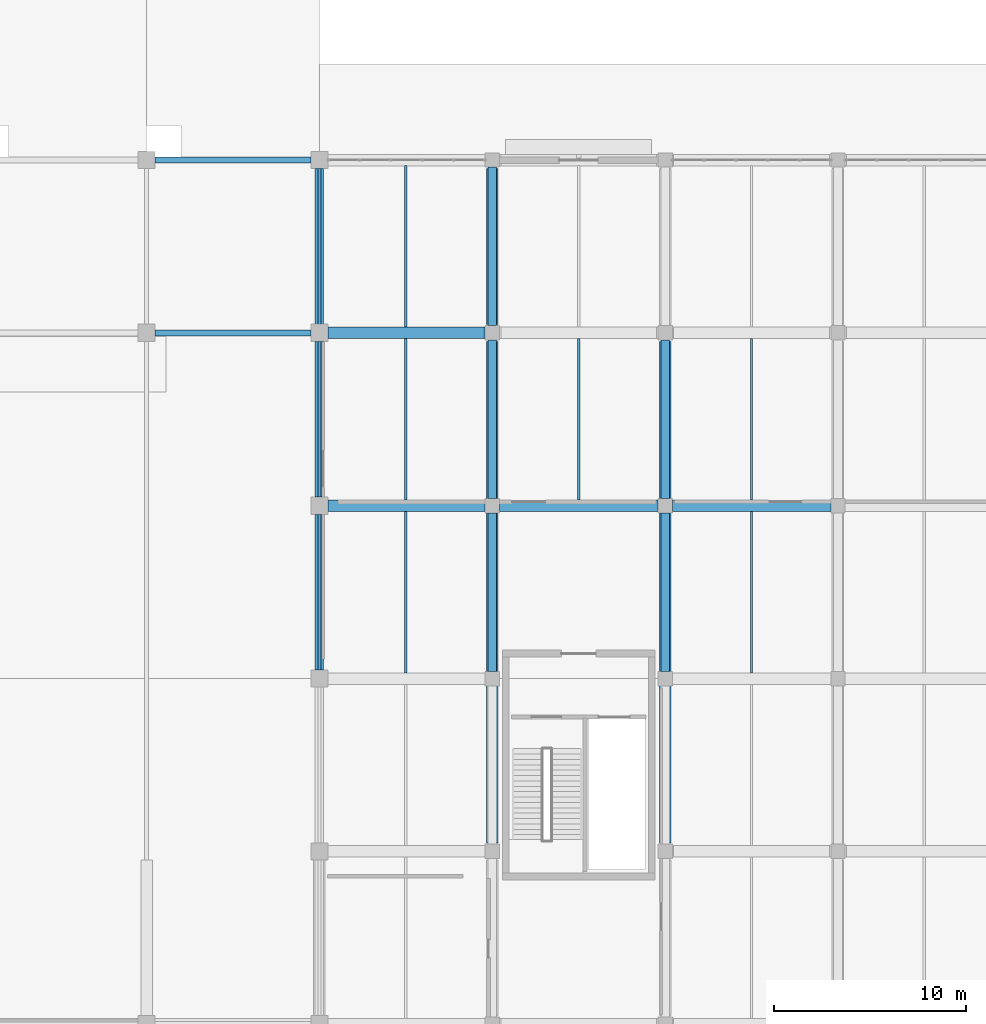
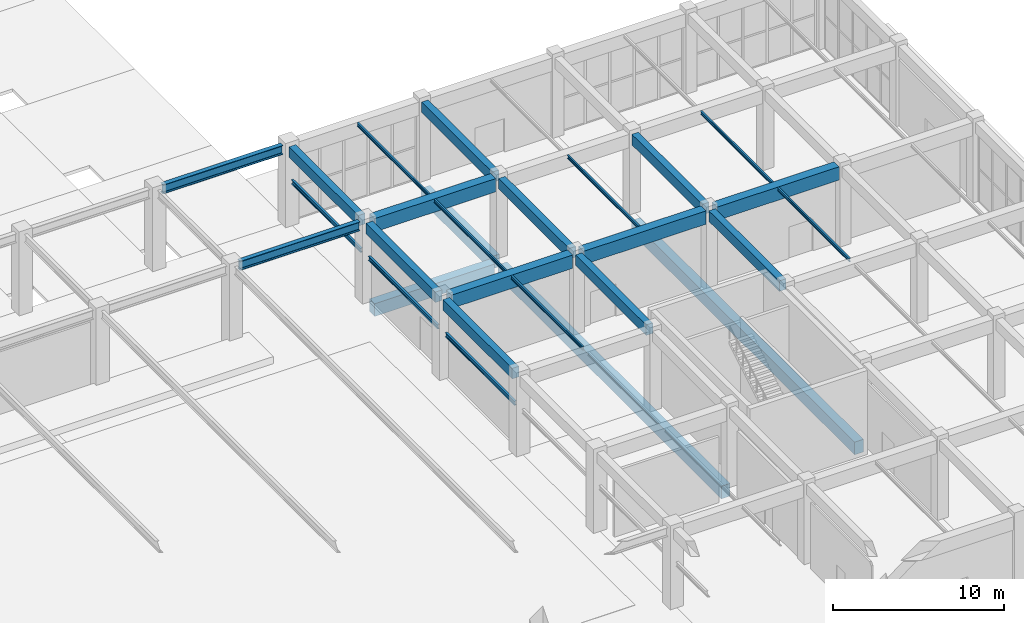
# One storey, part 15 of 91: 27 beams.
"""IFC4 building model written with IfcOpenShell, lengths in metres."""

import ifcopenshell
import ifcopenshell.guid

model = None  # the IFC model being written
_history = None  # IfcOwnerHistory: only IFC2X3 demands one
_inside = {}  # id of a spatial element -> (the spatial element, [elements in it])
_under = {}  # id of a project, library or spatial element -> (it, [spatial elements below it])
_declared = {}  # id of a project -> (the project, [libraries it declares])
_typed = {}  # id of a type object -> (the type object, [elements of that type])
_made_of = {}  # id of a material, layer set ... -> (it, [elements and type objects made of it])


def new_model(schema):
    """Start an empty IFC model of exactly this schema.

    Asked for "IFC4X3", IfcOpenShell would pick the latest addendum, in which some entities
    have other attributes; the version numbers below select the first issue.
    IFC2X3 requires an IfcOwnerHistory on every rooted entity: one is made here for all.
    """
    global model, _history
    if schema == "IFC4X3":
        model = ifcopenshell.file(schema_version=(4, 3, 0, 0))
    else:
        model = ifcopenshell.file(schema=schema)
    _inside.clear()
    _under.clear()
    _declared.clear()
    _typed.clear()
    _made_of.clear()
    _history = None
    if model.schema == "IFC2X3":
        org = make("IfcOrganization", Name="unknown")
        user = make(
            "IfcPersonAndOrganization",
            ThePerson=make("IfcPerson", FamilyName="unknown"),
            TheOrganization=org,
        )
        app = make(
            "IfcApplication",
            ApplicationDeveloper=org,
            Version="unknown",
            ApplicationFullName="unknown",
            ApplicationIdentifier="unknown",
        )
        _history = make(
            "IfcOwnerHistory",
            OwningUser=user,
            OwningApplication=app,
            ChangeAction="ADDED",
            CreationDate=0,
        )
    return model


def make(cls, **values):
    """One entity of the class cls with the attributes given. An attribute that is None is left unset."""
    return model.create_entity(
        cls, **{name: value for name, value in values.items() if value is not None}
    )


def rooted(cls, **values):
    """An entity with a GlobalId (a new one), such as an element, a storey or a relation."""
    return make(cls, GlobalId=ifcopenshell.guid.new(), OwnerHistory=_history, **values)


def si_unit(unit_type, name, prefix=None):
    """IfcSIUnit, for example si_unit("LENGTHUNIT", "METRE", prefix="MILLI")."""
    return make("IfcSIUnit", UnitType=unit_type, Prefix=prefix, Name=name)


def assignment(units):
    """IfcUnitAssignment: the units of a project."""
    return None if units is None else make("IfcUnitAssignment", Units=units)


def point(xyz):
    """IfcCartesianPoint."""
    return None if xyz is None else make("IfcCartesianPoint", Coordinates=xyz)


def direction(xyz):
    """IfcDirection."""
    return None if xyz is None else make("IfcDirection", DirectionRatios=xyz)


def frame(location, z_axis=None, x_axis=None):
    """IfcAxis2Placement3D, a coordinate frame: its origin and axes. An axis left out is left unset."""
    return make(
        "IfcAxis2Placement3D",
        Location=point(location),
        Axis=direction(z_axis),
        RefDirection=direction(x_axis),
    )


def frame_2d(location, x_axis=None):
    """IfcAxis2Placement2D, a coordinate frame in the plane: its origin and x axis."""
    return make(
        "IfcAxis2Placement2D", Location=point(location), RefDirection=direction(x_axis)
    )


def origin():
    """The frame at (0, 0, 0) with its axes left unset."""
    return frame((0.0, 0.0, 0.0))


def origin_2d():
    """The frame at (0, 0) in the plane with its x axis left unset."""
    return frame_2d((0.0, 0.0))


def place(relative_to, where):
    """IfcLocalPlacement: puts the frame where relative to a parent placement (None: the world)."""
    return make(
        "IfcLocalPlacement", PlacementRelTo=relative_to, RelativePlacement=where
    )


def context(
    kind, dimensions, precision=None, world=None, true_north=None, identifier=None
):
    """IfcGeometricRepresentationContext, for example the 3D "Model" context."""
    return make(
        "IfcGeometricRepresentationContext",
        ContextIdentifier=identifier,
        ContextType=kind,
        CoordinateSpaceDimension=dimensions,
        Precision=precision,
        WorldCoordinateSystem=world,
        TrueNorth=true_north,
    )


def subcontext(parent, identifier, kind, view, scale=None):
    """IfcGeometricRepresentationSubContext, for example "Body" below "Model"."""
    return make(
        "IfcGeometricRepresentationSubContext",
        ContextIdentifier=identifier,
        ContextType=kind,
        ParentContext=parent,
        TargetScale=scale,
        TargetView=view,
    )


def project(units=None, contexts=None):
    """IfcProject with its units and contexts."""
    return rooted(
        "IfcProject",
        Name="project",
        RepresentationContexts=contexts,
        UnitsInContext=assignment(units),
    )


def spatial(cls, under=None, at=None, **own):
    """A site, building, storey or space (cls), placed at a placement, below another one or the project."""
    s = rooted(cls, ObjectPlacement=at, **own)
    if under is not None:
        _under.setdefault(under.id(), (under, []))[1].append(s)
    return s


def profile(cls, at=None, kind="AREA", **sizes):
    """A parametric profile (cls). Its sizes go by their IFC names, for example OverallWidth=200.0."""
    return make(cls, ProfileType=kind, Position=at, **sizes)


def rectangle(**sizes):
    """IfcRectangleProfileDef."""
    return profile("IfcRectangleProfileDef", **sizes)


def i_section(**sizes):
    """IfcIShapeProfileDef."""
    return profile("IfcIShapeProfileDef", **sizes)


def extrude(swept, where, along, depth):
    """IfcExtrudedAreaSolid: the profile swept, set in the frame where, extruded along a direction by depth."""
    return make(
        "IfcExtrudedAreaSolid",
        SweptArea=swept,
        Position=where,
        ExtrudedDirection=direction(along),
        Depth=depth,
    )


def shape(context_of_items, identifier, shape_type, items):
    """IfcShapeRepresentation: the items that make up one representation, for example the "Body"."""
    return make(
        "IfcShapeRepresentation",
        ContextOfItems=context_of_items,
        RepresentationIdentifier=identifier,
        RepresentationType=shape_type,
        Items=items,
    )


def material(Name=None, Category=None):
    """IfcMaterial."""
    return make("IfcMaterial", Name=Name, Category=Category)


def material_profile(
    of_material, cross_section, Name=None, Category=None, Priority=None
):
    """IfcMaterialProfile: a cross section and its material."""
    return make(
        "IfcMaterialProfile",
        Name=Name,
        Material=of_material,
        Profile=cross_section,
        Priority=Priority,
        Category=Category,
    )


def profile_set(profiles, Name=None, composite=None):
    """IfcMaterialProfileSet."""
    return make(
        "IfcMaterialProfileSet",
        Name=Name,
        MaterialProfiles=profiles,
        CompositeProfile=composite,
    )


def made_of(thing, what):
    """Note that an element or type object is made of a material, layer set ...; save() writes the relation."""
    if what is not None:
        _made_of.setdefault(what.id(), (what, []))[1].append(thing)
    return thing


def type_object(cls, material=None, **own):
    """A type object (cls), such as IfcWallType, which elements share."""
    return made_of(rooted(cls, **own), material)


def element(
    cls,
    number,
    at=None,
    inside=None,
    cuts=None,
    type_object=None,
    material=None,
    context=None,
    identifier="Body",
    shape_type=None,
    held_by="IfcProductDefinitionShape",
    body=None,
    shapes=None,
    **own,
):
    """One element of the class cls, such as IfcWall. Its Tag is "e" and its number.

    at: its placement. inside: the storey or other place that contains it. cuts: it is an
    opening in that element (IfcRelVoidsElement). A single representation is given by context,
    identifier, shape_type and body (its items); several are given by shapes. held_by: the class
    of the entity that holds the representations. save() writes the other relations.
    """
    e = rooted(cls, Tag="e%d" % number, ObjectPlacement=at, **own)
    if body is not None:
        shapes = [shape(context, identifier, shape_type, body)]
    if shapes is not None:
        e.Representation = make(held_by, Representations=shapes)
    if inside is not None:
        _inside.setdefault(inside.id(), (inside, []))[1].append(e)
    if cuts is not None:
        rooted(
            "IfcRelVoidsElement", RelatingBuildingElement=cuts, RelatedOpeningElement=e
        )
    if type_object is not None:
        _typed.setdefault(type_object.id(), (type_object, []))[1].append(e)
    return made_of(e, material)


def aggregate(whole, parts):
    """IfcRelAggregates: a whole, such as a stair, and the parts it consists of."""
    return rooted("IfcRelAggregates", RelatingObject=whole, RelatedObjects=parts)


def save(model, path):
    """Write the relations noted so far, then the file.

    IfcRelAggregates (storeys below a building ...), IfcRelContainedInSpatialStructure (elements
    in a storey), IfcRelDefinesByType, IfcRelAssociatesMaterial and IfcRelDeclares: one each for
    every whole, place, type object, material and project.
    """
    for whole, parts in _under.values():
        aggregate(whole, parts)
    for where, things in _inside.values():
        rooted(
            "IfcRelContainedInSpatialStructure",
            RelatedElements=things,
            RelatingStructure=where,
        )
    for kind, things in _typed.values():
        rooted("IfcRelDefinesByType", RelatedObjects=things, RelatingType=kind)
    for what, things in _made_of.values():
        rooted("IfcRelAssociatesMaterial", RelatedObjects=things, RelatingMaterial=what)
    for by, libraries in _declared.values():
        rooted("IfcRelDeclares", RelatingContext=by, RelatedDefinitions=libraries)
    model.write(path)


model = new_model("IFC4")

# Units and contexts
model_context = context("Model", 3, precision=1e-05, world=origin(), true_north=direction((0.0, 1.0)))
body_context = subcontext(model_context, "Body", "Model", "MODEL_VIEW")
ifc_project = project(units=[si_unit("LENGTHUNIT", "METRE"), si_unit("AREAUNIT", "SQUARE_METRE"), si_unit("VOLUMEUNIT", "CUBIC_METRE"), si_unit("PLANEANGLEUNIT", "RADIAN"), si_unit("MASSUNIT", "GRAM", prefix="KILO")], contexts=[model_context])

# Site, building, storey
site_placement = place(None, origin())
site = spatial("IfcSite", under=ifc_project, at=site_placement, CompositionType="ELEMENT")
building_placement = place(site_placement, origin())
building = spatial("IfcBuilding", under=site, at=building_placement, Name="Dornveld Trade and Exhibition Forum", CompositionType="ELEMENT")
storey_placement = place(building_placement, origin())
storey = spatial("IfcBuildingStorey", under=building, at=storey_placement, Name="L00", CompositionType="ELEMENT", Elevation=0.0)

# Beams
ifc_material_1 = material(Name="Concrete C40/50", Category="concrete")
ifc_material_profile_1 = material_profile(ifc_material_1, rectangle(XDim=0.60009765625, YDim=0.89990234375, at=origin_2d()), Name="RC-GB 600x900")
ifc_profile_set_1 = profile_set([ifc_material_profile_1], Name="Concrete C40/50")
beam_type_1 = type_object("IfcBeamType", Name="BM-GB-600x900", PredefinedType="BEAM", material=ifc_profile_set_1)
beam_1_placement = place(storey_placement, frame((198.446044921875, 45.0, -0.830078125), z_axis=(1.0, 0.0, 0.0), x_axis=(0.0, 1.0, 0.0)))
element("IfcBeam", 1, at=beam_1_placement, inside=storey, type_object=beam_type_1, Name="L00 X-girder 598", PredefinedType="BEAM", context=body_context, shape_type="SweptSolid", body=[
    extrude(rectangle(XDim=0.60009765625, YDim=0.89990234375, at=origin_2d()), origin(), (0.0, 0.0, 1.0), 8.10791015625),
])
beam_2_placement = place(storey_placement, frame((207.0, 18.446044921875, -0.830078125), z_axis=(0.0, 1.0, 0.0), x_axis=(-1.0, 0.0, 0.0)))
element("IfcBeam", 2, at=beam_2_placement, inside=storey, type_object=beam_type_1, Name="L00 Y-girder 637", PredefinedType="BEAM", context=body_context, shape_type="SweptSolid", body=[
    extrude(rectangle(XDim=0.60009765625, YDim=0.89990234375, at=origin_2d()), origin(), (0.0, 0.0, 1.0), 26.10791015625),
])
beam_3_placement = place(storey_placement, frame((207.0, 45.446044921875, -0.830078125), z_axis=(0.0, 1.0, 0.0), x_axis=(-1.0, 0.0, 0.0)))
element("IfcBeam", 3, at=beam_3_placement, inside=storey, type_object=beam_type_1, Name="L00 Y-girder 638", PredefinedType="BEAM", context=body_context, shape_type="SweptSolid", body=[
    extrude(rectangle(XDim=0.60009765625, YDim=0.89990234375, at=origin_2d()), origin(), (0.0, 0.0, 1.0), 8.10791015625),
])
beam_4_placement = place(storey_placement, frame((216.0, 18.446044921875, -0.830078125), z_axis=(0.0, 1.0, 0.0), x_axis=(-1.0, 0.0, 0.0)))
element("IfcBeam", 4, at=beam_4_placement, inside=storey, type_object=beam_type_1, Name="L00 Y-girder 641", PredefinedType="BEAM", context=body_context, shape_type="SweptSolid", body=[
    extrude(rectangle(XDim=0.60009765625, YDim=0.89990234375, at=origin_2d()), origin(), (0.0, 0.0, 1.0), 26.10791015625),
])
ifc_material_2 = material(Name="Steel S355J2", Category="steel")
ifc_material_profile_2 = material_profile(ifc_material_2, i_section(OverallWidth=0.300048828125, OverallDepth=0.64990234375, WebThickness=0.01611328125, FlangeThickness=0.031005859375, FilletRadius=0.027099609375, at=origin_2d()), Name="HEB 650")
ifc_profile_set_2 = profile_set([ifc_material_profile_2], Name="Steel S355J2")
beam_type_2 = type_object("IfcBeamType", Name="BM-GIR-HEB650", PredefinedType="USERDEFINED", material=ifc_profile_set_2)
for number, where, z_axis, x_axis, name in (
    (5, (189.446044921875, 45.0, 5.375), (1.0, 0.0, 0.0), (0.0, 1.0, 0.0), "L00 X-girder 1035"),
    (6, (189.446044921875, 54.0, 5.375), (1.0, 0.0, 0.0), (0.0, 1.0, 0.0), "L00 X-girder 1040"),
):
    element("IfcBeam", number, at=place(storey_placement, frame(where, z_axis=z_axis, x_axis=x_axis)), inside=storey, type_object=beam_type_2, Name=name, ObjectType="GIRDER", PredefinedType="USERDEFINED", context=body_context, shape_type="SweptSolid", body=[
        extrude(i_section(OverallWidth=0.300048828125, OverallDepth=0.64990234375, WebThickness=0.01611328125, FlangeThickness=0.031005859375, FilletRadius=0.027099609375, at=origin_2d()), origin(), (0.0, 0.0, 1.0), 8.10791015625),
    ])
ifc_material_3 = material(Name="Steel S355J2", Category="steel")
ifc_material_profile_3 = material_profile(ifc_material_3, i_section(OverallWidth=0.1201171875, OverallDepth=0.239990234375, WebThickness=0.006103515625, FlangeThickness=0.009765625, FilletRadius=0.014892578125, at=origin_2d()), Name="IPE 240")
ifc_profile_set_3 = profile_set([ifc_material_profile_3], Name="Steel S355J2")
beam_type_3 = type_object("IfcBeamType", Name="BM-JOIST-240", PredefinedType="JOIST", material=ifc_profile_set_3)
for number, where, z_axis, x_axis, name in (
    (7, (202.5, 27.297119140625, 5.580078125), (0.0, 1.0, 0.0), (-1.0, 0.0, 0.0), "L00 secondary joist 937"),
    (8, (202.5, 36.297119140625, 5.580078125), (0.0, 1.0, 0.0), (-1.0, 0.0, 0.0), "L00 secondary joist 938"),
    (9, (202.5, 45.297119140625, 5.580078125), (0.0, 1.0, 0.0), (-1.0, 0.0, 0.0), "L00 secondary joist 939"),
    (10, (211.5, 36.297119140625, 5.580078125), (0.0, 1.0, 0.0), (-1.0, 0.0, 0.0), "L00 secondary joist 941"),
    (11, (220.5, 27.297119140625, 5.580078125), (0.0, 1.0, 0.0), (-1.0, 0.0, 0.0), "L00 secondary joist 946"),
    (12, (220.5, 36.297119140625, 5.580078125), (0.0, 1.0, 0.0), (-1.0, 0.0, 0.0), "L00 secondary joist 947"),
):
    element("IfcBeam", number, at=place(storey_placement, frame(where, z_axis=z_axis, x_axis=x_axis)), inside=storey, type_object=beam_type_3, Name=name, PredefinedType="JOIST", context=body_context, shape_type="SweptSolid", body=[
        extrude(i_section(OverallWidth=0.1201171875, OverallDepth=0.239990234375, WebThickness=0.006103515625, FlangeThickness=0.009765625, FilletRadius=0.014892578125, at=origin_2d()), origin(), (0.0, 0.0, 1.0), 8.40576171875),
    ])
ifc_material_4 = material(Name="Steel S355J2", Category="steel")
ifc_material_profile_4 = material_profile(ifc_material_4, i_section(OverallWidth=0.14990234375, OverallDepth=0.300048828125, WebThickness=0.007080078125, FlangeThickness=0.0107421875, FilletRadius=0.014892578125, at=origin_2d()), Name="IPE 300")
ifc_profile_set_4 = profile_set([ifc_material_profile_4], Name="Steel S355J2")
beam_type_4 = type_object("IfcBeamType", Name="BM-LINTEL-300", PredefinedType="LINTEL", material=ifc_profile_set_4)
for number, where, z_axis, x_axis, name in (
    (13, (198.0, 27.446044921875, 3.14990234375), (0.0, 1.0, 0.0), (-1.0, 0.0, 0.0), "Arcade opening lintel 4"),
    (14, (198.0, 36.446044921875, 3.14990234375), (0.0, 1.0, 0.0), (-1.0, 0.0, 0.0), "Arcade opening lintel 5"),
    (15, (198.0, 45.446044921875, 3.14990234375), (0.0, 1.0, 0.0), (-1.0, 0.0, 0.0), "Arcade opening lintel 6"),
):
    element("IfcBeam", number, at=place(storey_placement, frame(where, z_axis=z_axis, x_axis=x_axis)), inside=storey, type_object=beam_type_4, Name=name, PredefinedType="LINTEL", context=body_context, shape_type="SweptSolid", body=[
        extrude(i_section(OverallWidth=0.14990234375, OverallDepth=0.300048828125, WebThickness=0.007080078125, FlangeThickness=0.0107421875, FilletRadius=0.014892578125, at=origin_2d()), origin(), (0.0, 0.0, 1.0), 8.10791015625),
    ])
ifc_material_5 = material(Name="Precast concrete C50/60", Category="concrete")
ifc_material_profile_5 = material_profile(ifc_material_5, rectangle(XDim=0.449951171875, YDim=0.75, at=origin_2d()), Name="PC-BM 450x750")
ifc_profile_set_5 = profile_set([ifc_material_profile_5], Name="Precast concrete C50/60")
beam_type_5 = type_object("IfcBeamType", Name="BM-PC-450x750", PredefinedType="BEAM", material=ifc_profile_set_5)
for number, where, z_axis, x_axis, name in (
    (16, (198.0, 27.446044921875, 5.324951171875), (0.0, 1.0, 0.0), (-1.0, 0.0, 0.0), "L00 Y-girder 907"),
    (17, (198.0, 36.446044921875, 5.324951171875), (0.0, 1.0, 0.0), (-1.0, 0.0, 0.0), "L00 Y-girder 908"),
    (18, (198.0, 45.446044921875, 5.324951171875), (0.0, 1.0, 0.0), (-1.0, 0.0, 0.0), "L00 Y-girder 909"),
):
    element("IfcBeam", number, at=place(storey_placement, frame(where, z_axis=z_axis, x_axis=x_axis)), inside=storey, type_object=beam_type_5, Name=name, PredefinedType="BEAM", context=body_context, shape_type="SweptSolid", body=[
        extrude(rectangle(XDim=0.449951171875, YDim=0.75, at=origin_2d()), origin(), (0.0, 0.0, 1.0), 8.10791015625),
    ])
for number, where, z_axis, x_axis, name in (
    (19, (207.0, 27.37109375, 5.324951171875), (0.0, 1.0, 0.0), (-1.0, 0.0, 0.0), "L00 Y-girder 913"),
    (20, (207.0, 36.37109375, 5.324951171875), (0.0, 1.0, 0.0), (-1.0, 0.0, 0.0), "L00 Y-girder 914"),
    (21, (207.0, 45.37109375, 5.324951171875), (0.0, 1.0, 0.0), (-1.0, 0.0, 0.0), "L00 Y-girder 915"),
    (22, (216.0, 27.37109375, 5.324951171875), (0.0, 1.0, 0.0), (-1.0, 0.0, 0.0), "L00 Y-girder 919"),
    (23, (216.0, 36.37109375, 5.324951171875), (0.0, 1.0, 0.0), (-1.0, 0.0, 0.0), "L00 Y-girder 920"),
):
    element("IfcBeam", number, at=place(storey_placement, frame(where, z_axis=z_axis, x_axis=x_axis)), inside=storey, type_object=beam_type_5, Name=name, PredefinedType="BEAM", context=body_context, shape_type="SweptSolid", body=[
        extrude(rectangle(XDim=0.449951171875, YDim=0.75, at=origin_2d()), origin(), (0.0, 0.0, 1.0), 8.2578125),
    ])
ifc_material_6 = material(Name="Precast concrete C50/60", Category="concrete")
ifc_material_profile_6 = material_profile(ifc_material_6, rectangle(XDim=0.60009765625, YDim=0.949951171875, at=origin_2d()), Name="PC-GIR 600x950")
ifc_profile_set_6 = profile_set([ifc_material_profile_6], Name="Precast concrete C50/60")
beam_type_6 = type_object("IfcBeamType", Name="BM-PC-600x950", PredefinedType="T_BEAM", material=ifc_profile_set_6)
beam_5_placement = place(storey_placement, frame((198.446044921875, 36.0, 5.22509765625), z_axis=(1.0, 0.0, 0.0), x_axis=(0.0, 1.0, 0.0)))
element("IfcBeam", 24, at=beam_5_placement, inside=storey, type_object=beam_type_6, Name="L00 X-girder 892", PredefinedType="T_BEAM", context=body_context, shape_type="SweptSolid", body=[
    extrude(rectangle(XDim=0.60009765625, YDim=0.949951171875, at=origin_2d()), origin(), (0.0, 0.0, 1.0), 8.182861328125),
])
for number, where, z_axis, x_axis, name in (
    (25, (207.37109375, 36.0, 5.22509765625), (1.0, 0.0, 0.0), (0.0, 1.0, 0.0), "L00 X-girder 893"),
    (26, (216.37109375, 36.0, 5.22509765625), (1.0, 0.0, 0.0), (0.0, 1.0, 0.0), "L00 X-girder 894"),
):
    element("IfcBeam", number, at=place(storey_placement, frame(where, z_axis=z_axis, x_axis=x_axis)), inside=storey, type_object=beam_type_6, Name=name, PredefinedType="T_BEAM", context=body_context, shape_type="SweptSolid", body=[
        extrude(rectangle(XDim=0.60009765625, YDim=0.949951171875, at=origin_2d()), origin(), (0.0, 0.0, 1.0), 8.2578125),
    ])
beam_6_placement = place(storey_placement, frame((198.446044921875, 45.0, 5.22509765625), z_axis=(1.0, 0.0, 0.0), x_axis=(0.0, 1.0, 0.0)))
element("IfcBeam", 27, at=beam_6_placement, inside=storey, type_object=beam_type_6, Name="L00 X-girder 896", PredefinedType="T_BEAM", context=body_context, shape_type="SweptSolid", body=[
    extrude(rectangle(XDim=0.60009765625, YDim=0.949951171875, at=origin_2d()), origin(), (0.0, 0.0, 1.0), 8.182861328125),
])

save(model, "model.ifc")
